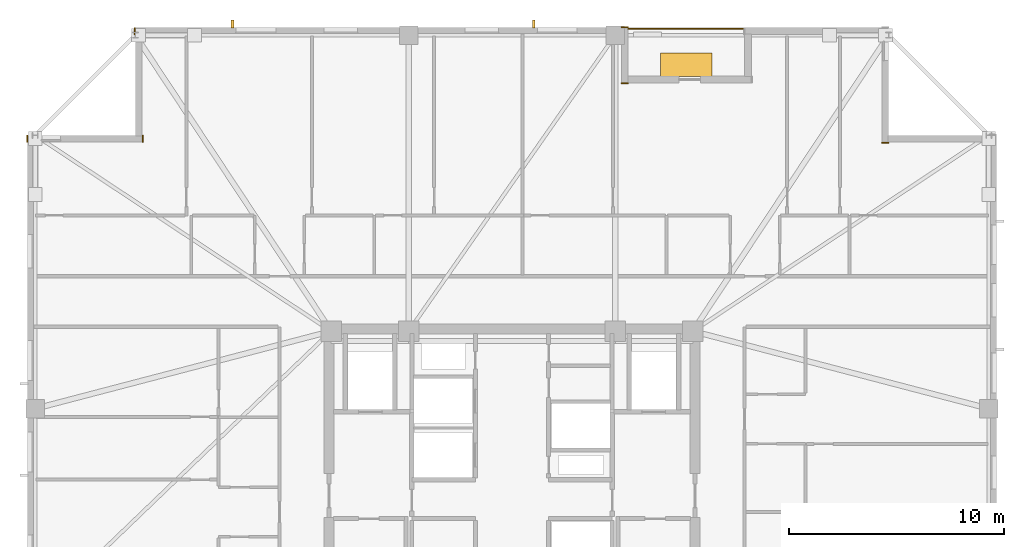
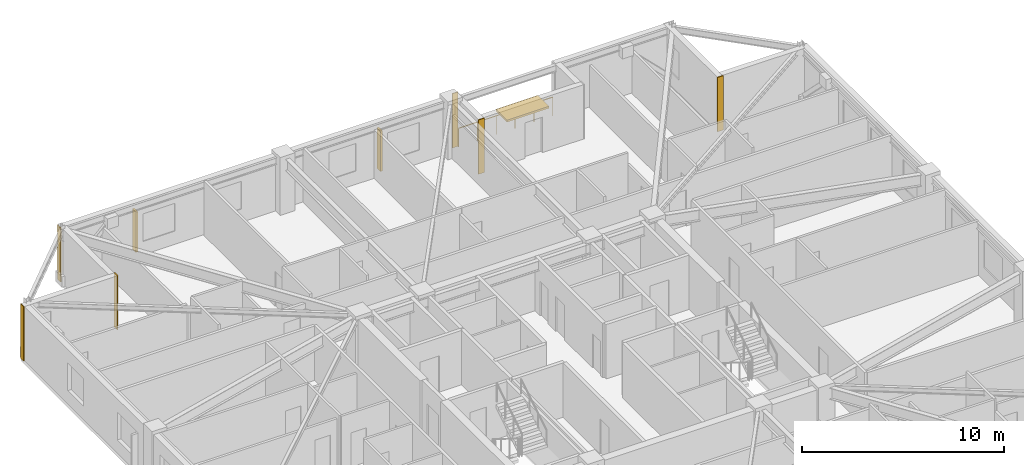
# One storey, part 16 of 17: 6 coverings, 3 shading devices, 1 railing.
"""IFC4 building model written with IfcOpenShell, lengths in metres."""

from ifc_helpers import new_model, si_unit, direction, frame, frame_2d, origin, origin_2d, place, context, subcontext, project, spatial, rectangle, circle, extrude, material, layer, layer_set, type_object, element, save


model = new_model("IFC4")

# Units and contexts
model_context = context("Model", 3, precision=1e-05, world=origin(), true_north=direction((0.0, 1.0)))
body_context = subcontext(model_context, "Body", "Model", "MODEL_VIEW")
ifc_project = project(units=[si_unit("LENGTHUNIT", "METRE"), si_unit("AREAUNIT", "SQUARE_METRE"), si_unit("VOLUMEUNIT", "CUBIC_METRE"), si_unit("PLANEANGLEUNIT", "RADIAN"), si_unit("MASSUNIT", "GRAM", prefix="KILO")], contexts=[model_context])

# Site, building, storey
site_placement = place(None, origin())
site = spatial("IfcSite", under=ifc_project, at=site_placement, CompositionType="ELEMENT")
building_placement = place(site_placement, origin())
building = spatial("IfcBuilding", under=site, at=building_placement, Name="Cairnveth Concourse Tower", CompositionType="ELEMENT")
storey_placement = place(building_placement, frame((0.0, 0.0, 202.5)))
storey = spatial("IfcBuildingStorey", under=building, at=storey_placement, Name="L55", CompositionType="ELEMENT", Elevation=202.5)

# Coverings
ifc_material_1 = material(Name="Dressed Melbourne Bluestone Cladding", Category="masonry")
ifc_layer = layer(ifc_material_1, 0.050048828125)
ifc_layer_set = layer_set([ifc_layer], Name="Dressed Melbourne Bluestone Cladding")
covering_type = type_object("IfcCoveringType", Name="DRESSED BLUESTONE PLINTH CLADDING 50", PredefinedType="CLADDING", material=ifc_layer_set)
for number, where, z_axis, x_axis, name in (
    (1, (69.179931640625, 56.159912109375, 0.0), (0.0, 0.0, 1.0), (1.0, 0.0, 0.0), "Melbourne Bluestone Corner Quoin L55-817"),
    (2, (29.47998046875, 56.179931640625, 0.0), (0.0, 0.0, 1.0), (0.0, 1.0, 0.0), "Melbourne Bluestone Corner Quoin L55-825"),
    (3, (34.840087890625, 56.179931640625, 0.0), (0.0, 0.0, 1.0), (0.0, 1.0, 0.0), "Melbourne Bluestone Corner Quoin L55-826"),
    (4, (34.47998046875, 61.179931640625, 0.0), (0.0, 0.0, 1.0), (0.0, 1.0, 0.0), "Melbourne Bluestone Corner Quoin L55-827"),
):
    element("IfcCovering", number, at=place(storey_placement, frame(where, z_axis=z_axis, x_axis=x_axis)), inside=storey, type_object=covering_type, Name=name, PredefinedType="CLADDING", context=body_context, shape_type="SweptSolid", body=[
        extrude(rectangle(XDim=0.320068359375, YDim=0.050048828125, at=frame_2d((0.16015625, 0.0))), origin(), (0.0, 0.0, 1.0), 3.2900390625),
    ])
for number, where, z_axis, x_axis, name in (
    (5, (57.080078125, 61.52001953125, 0.0), (0.0, 0.0, 1.0), (1.0, 0.0, 0.0), "Melbourne Bluestone Corner Quoin L55-828"),
    (6, (57.080078125, 58.909912109375, 0.0), (0.0, 0.0, 1.0), (1.0, 0.0, 0.0), "Melbourne Bluestone Corner Quoin L55-829"),
):
    element("IfcCovering", number, at=place(storey_placement, frame(where, z_axis=z_axis, x_axis=x_axis)), inside=storey, type_object=covering_type, Name=name, PredefinedType="CLADDING", context=body_context, shape_type="SweptSolid", body=[
        extrude(rectangle(XDim=0.31982421875, YDim=0.050048828125, at=frame_2d((0.159912109375, 0.0))), origin(), (0.0, 0.0, 1.0), 3.2900390625),
    ])

# Shading devices
ifc_material_2 = material(Name="Architectural Bronze Anodised Aluminium 6063-T6", Category="aluminium")
shading_device_type_1 = type_object("IfcShadingDeviceType", Name="GOTHIC BRONZE VERTICAL LANCET FIN", PredefinedType="USERDEFINED", material=ifc_material_2)
for number, where, z_axis, x_axis, name in (
    (7, (39.01513671875, 61.675048828125, 0.030029296875), (0.0, 0.0, 1.0), (1.0, 0.0, 0.0), "Gothic Bronze Vertical Fin L55-12-1"),
    (8, (53.016845703125, 61.675048828125, 0.030029296875), (0.0, 0.0, 1.0), (1.0, 0.0, 0.0), "Gothic Bronze Vertical Fin L55-12-5"),
):
    element("IfcShadingDevice", number, at=place(storey_placement, frame(where, z_axis=z_axis, x_axis=x_axis)), inside=storey, type_object=shading_device_type_1, Name=name, ObjectType="VERTICAL FIN", PredefinedType="USERDEFINED", context=body_context, shape_type="SweptSolid", body=[
        extrude(rectangle(XDim=0.1201171875, YDim=0.360107421875, at=origin_2d()), origin(), (0.0, 0.0, 1.0), 2.43798828125),
    ])
shading_device_type_2 = type_object("IfcShadingDeviceType", Name="SPIRAL TERRACE SUNSHADE CANOPY", PredefinedType="USERDEFINED", material=ifc_material_2)
shading_device_placement = place(storey_placement, frame((60.10009765625, 59.77001953125, 2.31787109375), z_axis=(0.0, 0.0, 1.0), x_axis=(1.0, 0.0, 0.0)))
element("IfcShadingDevice", 9, at=shading_device_placement, inside=storey, type_object=shading_device_type_2, Name="Spiral Terrace Sunshade L55", ObjectType="TERRACE SUNSHADE", PredefinedType="USERDEFINED", context=body_context, shape_type="SweptSolid", body=[
    extrude(rectangle(XDim=2.39990234375, YDim=1.10009765625, at=origin_2d()), origin(), (0.0, 0.0, 1.0), 0.1201171875),
])

# Railing
railing_type = type_object("IfcRailingType", Name="TERRACE BRONZE BALUSTRADE 1150", PredefinedType="BALUSTRADE", material=ifc_material_2)
railing_placement = place(storey_placement, frame((57.39990234375, 61.43994140625, 0.0)))
element("IfcRailing", 10, at=railing_placement, inside=storey, type_object=railing_type, Name="Terrace Balustrade RL-L55-TERR", PredefinedType="BALUSTRADE", context=body_context, shape_type="SweptSolid", body=[
    extrude(circle(Radius=0.02490234375, at=origin_2d()), frame((0.0, 0.0, 1.125), z_axis=(1.0, 0.0, 0.0), x_axis=(0.0, 1.0, 0.0)), (0.0, 0.0, 1.0), 5.400146484375),
    extrude(circle(Radius=0.02099609375, at=origin_2d()), origin(), (0.0, 0.0, 1.0), 1.099853515625),
    extrude(circle(Radius=0.02099609375, at=origin_2d()), frame((1.080078125, 0.0, 0.0)), (0.0, 0.0, 1.0), 1.099853515625),
    extrude(circle(Radius=0.02099609375, at=origin_2d()), frame((2.16015625, 0.0, 0.0)), (0.0, 0.0, 1.0), 1.099853515625),
    extrude(circle(Radius=0.02099609375, at=origin_2d()), frame((3.239990234375, 0.0, 0.0)), (0.0, 0.0, 1.0), 1.099853515625),
    extrude(circle(Radius=0.02099609375, at=origin_2d()), frame((4.320068359375, 0.0, 0.0)), (0.0, 0.0, 1.0), 1.099853515625),
    extrude(circle(Radius=0.02099609375, at=origin_2d()), frame((5.400146484375, 0.0, 0.0)), (0.0, 0.0, 1.0), 1.099853515625),
])

save(model, "model.ifc")
